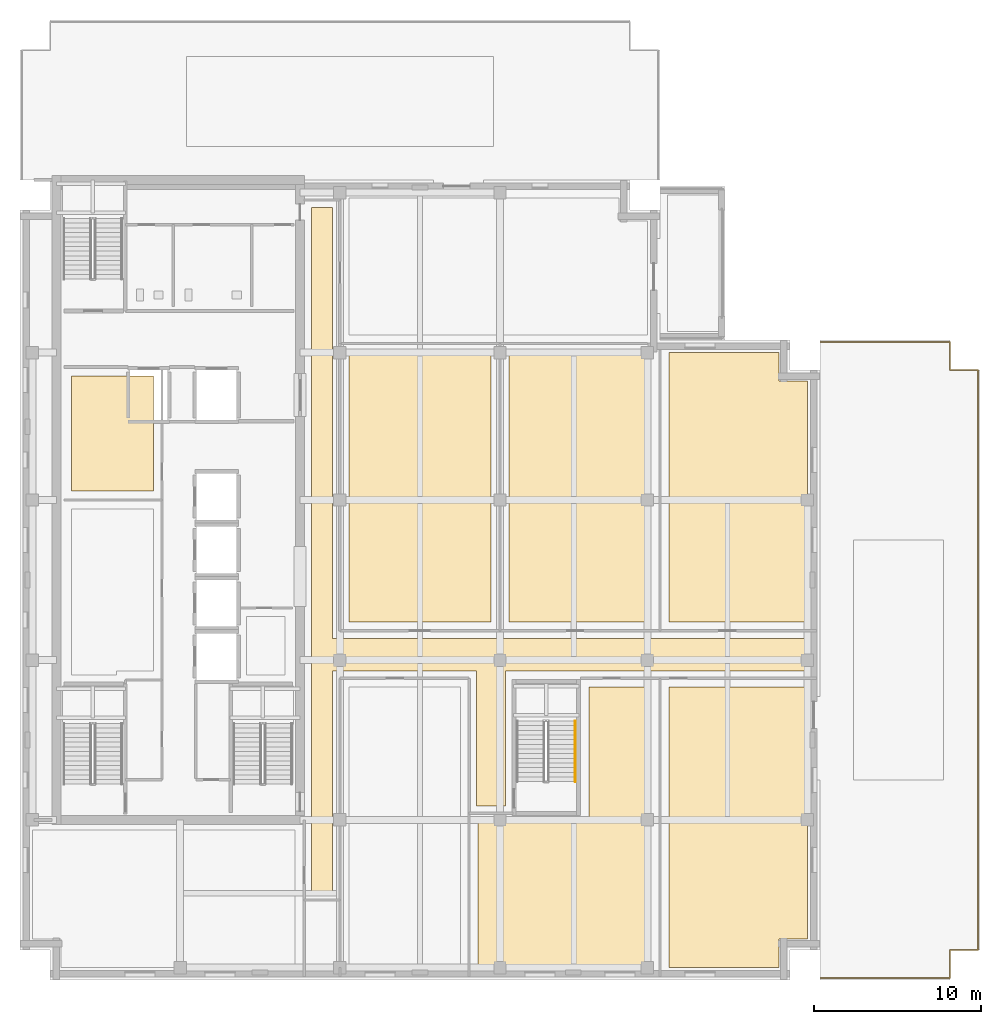
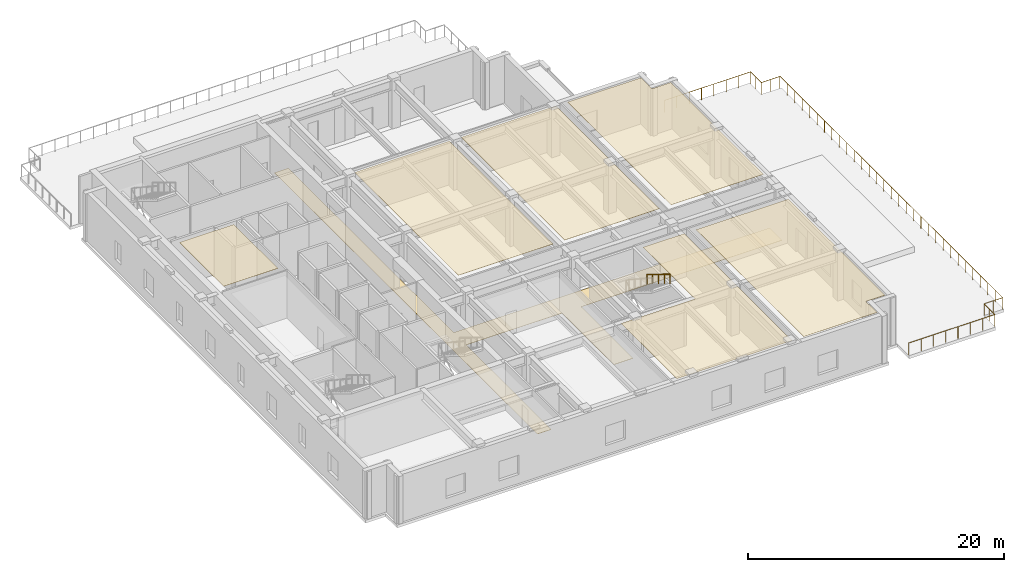
# One storey, part 8 of 11: 7 coverings, 2 railings.
"""IFC4 building model written with IfcOpenShell, lengths in metres."""

import ifcopenshell
import ifcopenshell.guid

model = None  # the IFC model being written
_history = None  # IfcOwnerHistory: only IFC2X3 demands one
_inside = {}  # id of a spatial element -> (the spatial element, [elements in it])
_under = {}  # id of a project, library or spatial element -> (it, [spatial elements below it])
_declared = {}  # id of a project -> (the project, [libraries it declares])
_typed = {}  # id of a type object -> (the type object, [elements of that type])
_made_of = {}  # id of a material, layer set ... -> (it, [elements and type objects made of it])


def new_model(schema):
    """Start an empty IFC model of exactly this schema.

    Asked for "IFC4X3", IfcOpenShell would pick the latest addendum, in which some entities
    have other attributes; the version numbers below select the first issue.
    IFC2X3 requires an IfcOwnerHistory on every rooted entity: one is made here for all.
    """
    global model, _history
    if schema == "IFC4X3":
        model = ifcopenshell.file(schema_version=(4, 3, 0, 0))
    else:
        model = ifcopenshell.file(schema=schema)
    _inside.clear()
    _under.clear()
    _declared.clear()
    _typed.clear()
    _made_of.clear()
    _history = None
    if model.schema == "IFC2X3":
        org = make("IfcOrganization", Name="unknown")
        user = make(
            "IfcPersonAndOrganization",
            ThePerson=make("IfcPerson", FamilyName="unknown"),
            TheOrganization=org,
        )
        app = make(
            "IfcApplication",
            ApplicationDeveloper=org,
            Version="unknown",
            ApplicationFullName="unknown",
            ApplicationIdentifier="unknown",
        )
        _history = make(
            "IfcOwnerHistory",
            OwningUser=user,
            OwningApplication=app,
            ChangeAction="ADDED",
            CreationDate=0,
        )
    return model


def make(cls, **values):
    """One entity of the class cls with the attributes given. An attribute that is None is left unset."""
    return model.create_entity(
        cls, **{name: value for name, value in values.items() if value is not None}
    )


def rooted(cls, **values):
    """An entity with a GlobalId (a new one), such as an element, a storey or a relation."""
    return make(cls, GlobalId=ifcopenshell.guid.new(), OwnerHistory=_history, **values)


def si_unit(unit_type, name, prefix=None):
    """IfcSIUnit, for example si_unit("LENGTHUNIT", "METRE", prefix="MILLI")."""
    return make("IfcSIUnit", UnitType=unit_type, Prefix=prefix, Name=name)


def assignment(units):
    """IfcUnitAssignment: the units of a project."""
    return None if units is None else make("IfcUnitAssignment", Units=units)


def point(xyz):
    """IfcCartesianPoint."""
    return None if xyz is None else make("IfcCartesianPoint", Coordinates=xyz)


def direction(xyz):
    """IfcDirection."""
    return None if xyz is None else make("IfcDirection", DirectionRatios=xyz)


def frame(location, z_axis=None, x_axis=None):
    """IfcAxis2Placement3D, a coordinate frame: its origin and axes. An axis left out is left unset."""
    return make(
        "IfcAxis2Placement3D",
        Location=point(location),
        Axis=direction(z_axis),
        RefDirection=direction(x_axis),
    )


def frame_2d(location, x_axis=None):
    """IfcAxis2Placement2D, a coordinate frame in the plane: its origin and x axis."""
    return make(
        "IfcAxis2Placement2D", Location=point(location), RefDirection=direction(x_axis)
    )


def origin():
    """The frame at (0, 0, 0) with its axes left unset."""
    return frame((0.0, 0.0, 0.0))


def origin_2d():
    """The frame at (0, 0) in the plane with its x axis left unset."""
    return frame_2d((0.0, 0.0))


def place(relative_to, where):
    """IfcLocalPlacement: puts the frame where relative to a parent placement (None: the world)."""
    return make(
        "IfcLocalPlacement", PlacementRelTo=relative_to, RelativePlacement=where
    )


def context(
    kind, dimensions, precision=None, world=None, true_north=None, identifier=None
):
    """IfcGeometricRepresentationContext, for example the 3D "Model" context."""
    return make(
        "IfcGeometricRepresentationContext",
        ContextIdentifier=identifier,
        ContextType=kind,
        CoordinateSpaceDimension=dimensions,
        Precision=precision,
        WorldCoordinateSystem=world,
        TrueNorth=true_north,
    )


def subcontext(parent, identifier, kind, view, scale=None):
    """IfcGeometricRepresentationSubContext, for example "Body" below "Model"."""
    return make(
        "IfcGeometricRepresentationSubContext",
        ContextIdentifier=identifier,
        ContextType=kind,
        ParentContext=parent,
        TargetScale=scale,
        TargetView=view,
    )


def project(units=None, contexts=None):
    """IfcProject with its units and contexts."""
    return rooted(
        "IfcProject",
        Name="project",
        RepresentationContexts=contexts,
        UnitsInContext=assignment(units),
    )


def spatial(cls, under=None, at=None, **own):
    """A site, building, storey or space (cls), placed at a placement, below another one or the project."""
    s = rooted(cls, ObjectPlacement=at, **own)
    if under is not None:
        _under.setdefault(under.id(), (under, []))[1].append(s)
    return s


def polyline(points):
    """IfcPolyline through the points."""
    return make("IfcPolyline", Points=[point(p) for p in points])


def profile(cls, at=None, kind="AREA", **sizes):
    """A parametric profile (cls). Its sizes go by their IFC names, for example OverallWidth=200.0."""
    return make(cls, ProfileType=kind, Position=at, **sizes)


def circle(**sizes):
    """IfcCircleProfileDef."""
    return profile("IfcCircleProfileDef", **sizes)


def outline(outer, holes=None, kind="AREA"):
    """IfcArbitraryClosedProfileDef: a profile drawn as a closed curve; with holes, ...WithVoids."""
    if holes is None:
        return make("IfcArbitraryClosedProfileDef", ProfileType=kind, OuterCurve=outer)
    return make(
        "IfcArbitraryProfileDefWithVoids",
        ProfileType=kind,
        OuterCurve=outer,
        InnerCurves=holes,
    )


def extrude(swept, where, along, depth):
    """IfcExtrudedAreaSolid: the profile swept, set in the frame where, extruded along a direction by depth."""
    return make(
        "IfcExtrudedAreaSolid",
        SweptArea=swept,
        Position=where,
        ExtrudedDirection=direction(along),
        Depth=depth,
    )


def shape(context_of_items, identifier, shape_type, items):
    """IfcShapeRepresentation: the items that make up one representation, for example the "Body"."""
    return make(
        "IfcShapeRepresentation",
        ContextOfItems=context_of_items,
        RepresentationIdentifier=identifier,
        RepresentationType=shape_type,
        Items=items,
    )


def material(Name=None, Category=None):
    """IfcMaterial."""
    return make("IfcMaterial", Name=Name, Category=Category)


def layer(
    of_material, thickness, ventilated=None, Name=None, Category=None, Priority=None
):
    """IfcMaterialLayer: one layer of a wall or slab, of a material (None: an air gap)."""
    return make(
        "IfcMaterialLayer",
        Material=of_material,
        LayerThickness=thickness,
        IsVentilated=ventilated,
        Name=Name,
        Category=Category,
        Priority=Priority,
    )


def layer_set(layers, Name=None):
    """IfcMaterialLayerSet."""
    return make("IfcMaterialLayerSet", MaterialLayers=layers, LayerSetName=Name)


def made_of(thing, what):
    """Note that an element or type object is made of a material, layer set ...; save() writes the relation."""
    if what is not None:
        _made_of.setdefault(what.id(), (what, []))[1].append(thing)
    return thing


def type_object(cls, material=None, **own):
    """A type object (cls), such as IfcWallType, which elements share."""
    return made_of(rooted(cls, **own), material)


def element(
    cls,
    number,
    at=None,
    inside=None,
    cuts=None,
    type_object=None,
    material=None,
    context=None,
    identifier="Body",
    shape_type=None,
    held_by="IfcProductDefinitionShape",
    body=None,
    shapes=None,
    **own,
):
    """One element of the class cls, such as IfcWall. Its Tag is "e" and its number.

    at: its placement. inside: the storey or other place that contains it. cuts: it is an
    opening in that element (IfcRelVoidsElement). A single representation is given by context,
    identifier, shape_type and body (its items); several are given by shapes. held_by: the class
    of the entity that holds the representations. save() writes the other relations.
    """
    e = rooted(cls, Tag="e%d" % number, ObjectPlacement=at, **own)
    if body is not None:
        shapes = [shape(context, identifier, shape_type, body)]
    if shapes is not None:
        e.Representation = make(held_by, Representations=shapes)
    if inside is not None:
        _inside.setdefault(inside.id(), (inside, []))[1].append(e)
    if cuts is not None:
        rooted(
            "IfcRelVoidsElement", RelatingBuildingElement=cuts, RelatedOpeningElement=e
        )
    if type_object is not None:
        _typed.setdefault(type_object.id(), (type_object, []))[1].append(e)
    return made_of(e, material)


def aggregate(whole, parts):
    """IfcRelAggregates: a whole, such as a stair, and the parts it consists of."""
    return rooted("IfcRelAggregates", RelatingObject=whole, RelatedObjects=parts)


def save(model, path):
    """Write the relations noted so far, then the file.

    IfcRelAggregates (storeys below a building ...), IfcRelContainedInSpatialStructure (elements
    in a storey), IfcRelDefinesByType, IfcRelAssociatesMaterial and IfcRelDeclares: one each for
    every whole, place, type object, material and project.
    """
    for whole, parts in _under.values():
        aggregate(whole, parts)
    for where, things in _inside.values():
        rooted(
            "IfcRelContainedInSpatialStructure",
            RelatedElements=things,
            RelatingStructure=where,
        )
    for kind, things in _typed.values():
        rooted("IfcRelDefinesByType", RelatedObjects=things, RelatingType=kind)
    for what, things in _made_of.values():
        rooted("IfcRelAssociatesMaterial", RelatedObjects=things, RelatingMaterial=what)
    for by, libraries in _declared.values():
        rooted("IfcRelDeclares", RelatingContext=by, RelatedDefinitions=libraries)
    model.write(path)


model = new_model("IFC4")

# Units and contexts
model_context = context("Model", 3, precision=1e-05, world=origin(), true_north=direction((0.0, 1.0)))
body_context = subcontext(model_context, "Body", "Model", "MODEL_VIEW")
ifc_project = project(units=[si_unit("LENGTHUNIT", "METRE"), si_unit("AREAUNIT", "SQUARE_METRE"), si_unit("VOLUMEUNIT", "CUBIC_METRE"), si_unit("PLANEANGLEUNIT", "RADIAN"), si_unit("MASSUNIT", "GRAM", prefix="KILO")], contexts=[model_context])

# Site, building, storey
site_placement = place(None, origin())
site = spatial("IfcSite", under=ifc_project, at=site_placement, CompositionType="ELEMENT")
building_placement = place(site_placement, origin())
building = spatial("IfcBuilding", under=site, at=building_placement, Name="Norrvale University Quadrangle", CompositionType="ELEMENT")
storey_placement = place(building_placement, frame((0.0, 0.0, 261.0)))
storey = spatial("IfcBuildingStorey", under=building, at=storey_placement, Name="L66", CompositionType="ELEMENT", Elevation=261.0)

# Coverings
ifc_material_1 = material(Name="Perforated Acoustic Mineral Ceiling")
ifc_layer_1 = layer(ifc_material_1, 0.02490234375, Name="Perforated Acoustic Mineral Ceiling")
ifc_layer_set_1 = layer_set([ifc_layer_1], Name="Perforated Acoustic Mineral Ceiling")
covering_type_1 = type_object("IfcCoveringType", Name="Covering Acoustic Ceiling 25", PredefinedType="CEILING", material=ifc_layer_set_1)
covering_1_placement = place(storey_placement, frame((0.0, 0.0, 4.514892578125)))
element("IfcCovering", 1, at=covering_1_placement, inside=storey, type_object=covering_type_1, Name="Acoustic Ceiling RM-L66-REC3", PredefinedType="CEILING", context=body_context, shape_type="SweptSolid", body=[
    extrude(outline(polyline([(3.10009765625, 29.35009765625), (3.10009765625, 36.25), (8.0, 36.25), (8.0, 29.35009765625), (3.10009765625, 29.35009765625)])), origin(), (0.0, 0.0, 1.0), 0.025146484375),
])
covering_2_placement = place(storey_placement, frame((0.0, 0.0, 4.514892578125)))
element("IfcCovering", 2, at=covering_2_placement, inside=storey, type_object=covering_type_1, Name="Acoustic Ceiling RM-L66-SE2", PredefinedType="CEILING", context=body_context, shape_type="SweptSolid", body=[
    extrude(outline(polyline([(27.47998046875, 9.449951171875), (34.14990234375, 9.449951171875), (34.14990234375, 17.570068359375), (37.8701171875, 17.570068359375), (37.8701171875, 0.75), (27.47998046875, 0.75), (27.47998046875, 9.449951171875)])), origin(), (0.0, 0.0, 1.0), 0.025146484375),
])
covering_3_placement = place(storey_placement, frame((0.0, 0.0, 4.514892578125)))
element("IfcCovering", 3, at=covering_3_placement, inside=storey, type_object=covering_type_1, Name="Acoustic Ceiling RM-L66-SE3", PredefinedType="CEILING", context=body_context, shape_type="SweptSolid", body=[
    extrude(outline(polyline([(38.929931640625, 0.75), (38.929931640625, 17.570068359375), (47.25, 17.570068359375), (47.25, 2.469970703125), (45.530029296875, 2.469970703125), (45.530029296875, 0.75), (38.929931640625, 0.75)])), origin(), (0.0, 0.0, 1.0), 0.025146484375),
])
covering_4_placement = place(storey_placement, frame((0.0, 0.0, 4.514892578125)))
element("IfcCovering", 4, at=covering_4_placement, inside=storey, type_object=covering_type_1, Name="Acoustic Ceiling RM-L66-ME01", PredefinedType="CEILING", context=body_context, shape_type="SweptSolid", body=[
    extrude(outline(polyline([(19.72998046875, 37.64990234375), (28.27001953125, 37.64990234375), (28.27001953125, 21.47998046875), (19.72998046875, 21.47998046875), (19.72998046875, 37.64990234375)])), origin(), (0.0, 0.0, 1.0), 0.025146484375),
])
covering_5_placement = place(storey_placement, frame((0.0, 0.0, 4.514892578125)))
element("IfcCovering", 5, at=covering_5_placement, inside=storey, type_object=covering_type_1, Name="Acoustic Ceiling RM-L66-ME02", PredefinedType="CEILING", context=body_context, shape_type="SweptSolid", body=[
    extrude(outline(polyline([(29.330078125, 37.64990234375), (37.8701171875, 37.64990234375), (37.8701171875, 21.47998046875), (29.330078125, 21.47998046875), (29.330078125, 37.64990234375)])), origin(), (0.0, 0.0, 1.0), 0.025146484375),
])
covering_6_placement = place(storey_placement, frame((0.0, 0.0, 4.514892578125)))
element("IfcCovering", 6, at=covering_6_placement, inside=storey, type_object=covering_type_1, Name="Acoustic Ceiling RM-L66-ME03", PredefinedType="CEILING", context=body_context, shape_type="SweptSolid", body=[
    extrude(outline(polyline([(47.25, 21.47998046875), (38.929931640625, 21.47998046875), (38.929931640625, 37.64990234375), (45.530029296875, 37.64990234375), (45.530029296875, 35.929931640625), (47.25, 35.929931640625), (47.25, 21.47998046875)])), origin(), (0.0, 0.0, 1.0), 0.025146484375),
])
ifc_material_2 = material(Name="Polished Terrazzo Flooring")
ifc_layer_2 = layer(ifc_material_2, 0.02490234375, Name="Polished Terrazzo Flooring")
ifc_layer_set_2 = layer_set([ifc_layer_2], Name="Polished Terrazzo Flooring")
covering_type_2 = type_object("IfcCoveringType", Name="Covering Terrazzo Floor 30", PredefinedType="FLOORING", material=ifc_layer_set_2)
covering_7_placement = place(storey_placement, origin())
element("IfcCovering", 7, at=covering_7_placement, inside=storey, type_object=covering_type_2, Name="Terrazzo Flooring RM-L66-CORR1", PredefinedType="FLOORING", context=body_context, shape_type="SweptSolid", body=[
    extrude(outline(polyline([(17.5, 5.25), (17.5, 46.35009765625), (18.75, 46.35009765625), (18.75, 20.5), (47.25, 20.5), (47.25, 18.550048828125), (29.1298828125, 18.550048828125), (29.1298828125, 10.449951171875), (27.39990234375, 10.449951171875), (27.39990234375, 18.550048828125), (18.75, 18.550048828125), (18.75, 5.25), (17.5, 5.25)])), origin(), (0.0, 0.0, 1.0), 0.02490234375),
])

# Railings
ifc_material_3 = material(Name="Stainless Steel 316L Handrail", Category="steel")
railing_type_1 = type_object("IfcRailingType", Name="Railing Stair Handrail 920", PredefinedType="HANDRAIL", material=ifc_material_3)
railing_1_placement = place(storey_placement, frame((33.31005859375, 15.5400390625, 2.5712890625)))
element("IfcRailing", 8, at=railing_1_placement, inside=storey, type_object=railing_type_1, Name="Stair Upper Flight Handrail ST-04 L66", PredefinedType="HANDRAIL", context=body_context, shape_type="SweptSolid", body=[
    extrude(circle(Radius=0.02392578125, at=origin_2d()), frame((0.0, 0.0, 0.89599609375), z_axis=(0.0, -0.852840387347, 0.522171689878), x_axis=(1.0, 0.0, 0.0)), (0.0, 0.0, 1.0), 4.268310546875),
    extrude(circle(Radius=0.02099609375, at=origin_2d()), origin(), (0.0, 0.0, 1.0), 0.871826171875),
    extrude(circle(Radius=0.02099609375, at=origin_2d()), frame((0.0, -0.91015625, 0.55712890625)), (0.0, 0.0, 1.0), 0.871826171875),
    extrude(circle(Radius=0.02099609375, at=origin_2d()), frame((0.0, -1.820068359375, 1.1142578125)), (0.0, 0.0, 1.0), 0.871826171875),
    extrude(circle(Radius=0.02099609375, at=origin_2d()), frame((0.0, -2.72998046875, 1.671630859375)), (0.0, 0.0, 1.0), 0.871826171875),
    extrude(circle(Radius=0.02099609375, at=origin_2d()), frame((0.0, -3.64013671875, 2.228759765625)), (0.0, 0.0, 1.0), 0.871826171875),
])
ifc_material_4 = material(Name="Stainless Steel 316L Balustrade", Category="steel")
railing_type_2 = type_object("IfcRailingType", Name="Railing Terrace Guard 1150", PredefinedType="BALUSTRADE", material=ifc_material_4)
railing_2_placement = place(storey_placement, frame((48.050048828125, 0.1201171875, 0.0)))
element("IfcRailing", 9, at=railing_2_placement, inside=storey, type_object=railing_type_2, Name="L66 East Setback Terrace Balustrade", PredefinedType="BALUSTRADE", context=body_context, shape_type="SweptSolid", body=[
    extrude(circle(Radius=0.02392578125, at=origin_2d()), frame((0.0, 0.0, 1.1259765625), z_axis=(1.0, 0.0, 0.0), x_axis=(0.0, 1.0, 0.0)), (0.0, 0.0, 1.0), 7.75),
    extrude(circle(Radius=0.02392578125, at=origin_2d()), frame((7.75, 0.0, 1.1259765625), z_axis=(0.0, 1.0, 0.0), x_axis=(-1.0, 0.0, 0.0)), (0.0, 0.0, 1.0), 1.679931640625),
    extrude(circle(Radius=0.02392578125, at=origin_2d()), frame((7.75, 1.679931640625, 1.1259765625), z_axis=(1.0, 0.0, 0.0), x_axis=(0.0, 1.0, 0.0)), (0.0, 0.0, 1.0), 1.679931640625),
    extrude(circle(Radius=0.02392578125, at=origin_2d()), frame((9.429931640625, 1.679931640625, 1.1259765625), z_axis=(0.0, 1.0, 0.0), x_axis=(-1.0, 0.0, 0.0)), (0.0, 0.0, 1.0), 34.800048828125),
    extrude(circle(Radius=0.02392578125, at=origin_2d()), frame((9.429931640625, 36.47998046875, 1.1259765625), z_axis=(-1.0, 0.0, 0.0), x_axis=(0.0, -1.0, 0.0)), (0.0, 0.0, 1.0), 1.679931640625),
    extrude(circle(Radius=0.02392578125, at=origin_2d()), frame((7.75, 36.47998046875, 1.1259765625), z_axis=(0.0, 1.0, 0.0), x_axis=(-1.0, 0.0, 0.0)), (0.0, 0.0, 1.0), 1.679931640625),
    extrude(circle(Radius=0.02392578125, at=origin_2d()), frame((7.75, 38.159912109375, 1.1259765625), z_axis=(-1.0, 0.0, 0.0), x_axis=(0.0, -1.0, 0.0)), (0.0, 0.0, 1.0), 7.75),
    extrude(circle(Radius=0.02099609375, at=origin_2d()), origin(), (0.0, 0.0, 1.0), 1.101806640625),
    extrude(circle(Radius=0.02099609375, at=origin_2d()), frame((1.107177734375, 0.0, 0.0)), (0.0, 0.0, 1.0), 1.101806640625),
    extrude(circle(Radius=0.02099609375, at=origin_2d()), frame((2.21435546875, 0.0, 0.0)), (0.0, 0.0, 1.0), 1.101806640625),
    extrude(circle(Radius=0.02099609375, at=origin_2d()), frame((3.321533203125, 0.0, 0.0)), (0.0, 0.0, 1.0), 1.101806640625),
    extrude(circle(Radius=0.02099609375, at=origin_2d()), frame((4.428466796875, 0.0, 0.0)), (0.0, 0.0, 1.0), 1.101806640625),
    extrude(circle(Radius=0.02099609375, at=origin_2d()), frame((5.53564453125, 0.0, 0.0)), (0.0, 0.0, 1.0), 1.101806640625),
    extrude(circle(Radius=0.02099609375, at=origin_2d()), frame((6.642822265625, 0.0, 0.0)), (0.0, 0.0, 1.0), 1.101806640625),
    extrude(circle(Radius=0.02099609375, at=origin_2d()), frame((7.75, 0.0, 0.0)), (0.0, 0.0, 1.0), 1.101806640625),
    extrude(circle(Radius=0.02099609375, at=origin_2d()), frame((7.75, 0.83984375, 0.0)), (0.0, 0.0, 1.0), 1.101806640625),
    extrude(circle(Radius=0.02099609375, at=origin_2d()), frame((7.75, 1.679931640625, 0.0)), (0.0, 0.0, 1.0), 1.101806640625),
    extrude(circle(Radius=0.02099609375, at=origin_2d()), frame((8.58984375, 1.679931640625, 0.0)), (0.0, 0.0, 1.0), 1.101806640625),
    extrude(circle(Radius=0.02099609375, at=origin_2d()), frame((9.429931640625, 1.679931640625, 0.0)), (0.0, 0.0, 1.0), 1.101806640625),
    extrude(circle(Radius=0.02099609375, at=origin_2d()), frame((9.429931640625, 2.83984375, 0.0)), (0.0, 0.0, 1.0), 1.101806640625),
    extrude(circle(Radius=0.02099609375, at=origin_2d()), frame((9.429931640625, 4.0, 0.0)), (0.0, 0.0, 1.0), 1.101806640625),
    extrude(circle(Radius=0.02099609375, at=origin_2d()), frame((9.429931640625, 5.159912109375, 0.0)), (0.0, 0.0, 1.0), 1.101806640625),
    extrude(circle(Radius=0.02099609375, at=origin_2d()), frame((9.429931640625, 6.31982421875, 0.0)), (0.0, 0.0, 1.0), 1.101806640625),
    extrude(circle(Radius=0.02099609375, at=origin_2d()), frame((9.429931640625, 7.47998046875, 0.0)), (0.0, 0.0, 1.0), 1.101806640625),
    extrude(circle(Radius=0.02099609375, at=origin_2d()), frame((9.429931640625, 8.639892578125, 0.0)), (0.0, 0.0, 1.0), 1.101806640625),
    extrude(circle(Radius=0.02099609375, at=origin_2d()), frame((9.429931640625, 9.800048828125, 0.0)), (0.0, 0.0, 1.0), 1.101806640625),
    extrude(circle(Radius=0.02099609375, at=origin_2d()), frame((9.429931640625, 10.9599609375, 0.0)), (0.0, 0.0, 1.0), 1.101806640625),
    extrude(circle(Radius=0.02099609375, at=origin_2d()), frame((9.429931640625, 12.119873046875, 0.0)), (0.0, 0.0, 1.0), 1.101806640625),
    extrude(circle(Radius=0.02099609375, at=origin_2d()), frame((9.429931640625, 13.280029296875, 0.0)), (0.0, 0.0, 1.0), 1.101806640625),
    extrude(circle(Radius=0.02099609375, at=origin_2d()), frame((9.429931640625, 14.43994140625, 0.0)), (0.0, 0.0, 1.0), 1.101806640625),
    extrude(circle(Radius=0.02099609375, at=origin_2d()), frame((9.429931640625, 15.599853515625, 0.0)), (0.0, 0.0, 1.0), 1.101806640625),
    extrude(circle(Radius=0.02099609375, at=origin_2d()), frame((9.429931640625, 16.760009765625, 0.0)), (0.0, 0.0, 1.0), 1.101806640625),
    extrude(circle(Radius=0.02099609375, at=origin_2d()), frame((9.429931640625, 17.919921875, 0.0)), (0.0, 0.0, 1.0), 1.101806640625),
    extrude(circle(Radius=0.02099609375, at=origin_2d()), frame((9.429931640625, 19.080078125, 0.0)), (0.0, 0.0, 1.0), 1.101806640625),
    extrude(circle(Radius=0.02099609375, at=origin_2d()), frame((9.429931640625, 20.239990234375, 0.0)), (0.0, 0.0, 1.0), 1.101806640625),
    extrude(circle(Radius=0.02099609375, at=origin_2d()), frame((9.429931640625, 21.39990234375, 0.0)), (0.0, 0.0, 1.0), 1.101806640625),
    extrude(circle(Radius=0.02099609375, at=origin_2d()), frame((9.429931640625, 22.56005859375, 0.0)), (0.0, 0.0, 1.0), 1.101806640625),
    extrude(circle(Radius=0.02099609375, at=origin_2d()), frame((9.429931640625, 23.719970703125, 0.0)), (0.0, 0.0, 1.0), 1.101806640625),
    extrude(circle(Radius=0.02099609375, at=origin_2d()), frame((9.429931640625, 24.8798828125, 0.0)), (0.0, 0.0, 1.0), 1.101806640625),
    extrude(circle(Radius=0.02099609375, at=origin_2d()), frame((9.429931640625, 26.0400390625, 0.0)), (0.0, 0.0, 1.0), 1.101806640625),
    extrude(circle(Radius=0.02099609375, at=origin_2d()), frame((9.429931640625, 27.199951171875, 0.0)), (0.0, 0.0, 1.0), 1.101806640625),
    extrude(circle(Radius=0.02099609375, at=origin_2d()), frame((9.429931640625, 28.35986328125, 0.0)), (0.0, 0.0, 1.0), 1.101806640625),
    extrude(circle(Radius=0.02099609375, at=origin_2d()), frame((9.429931640625, 29.52001953125, 0.0)), (0.0, 0.0, 1.0), 1.101806640625),
    extrude(circle(Radius=0.02099609375, at=origin_2d()), frame((9.429931640625, 30.679931640625, 0.0)), (0.0, 0.0, 1.0), 1.101806640625),
    extrude(circle(Radius=0.02099609375, at=origin_2d()), frame((9.429931640625, 31.840087890625, 0.0)), (0.0, 0.0, 1.0), 1.101806640625),
    extrude(circle(Radius=0.02099609375, at=origin_2d()), frame((9.429931640625, 33.0, 0.0)), (0.0, 0.0, 1.0), 1.101806640625),
    extrude(circle(Radius=0.02099609375, at=origin_2d()), frame((9.429931640625, 34.159912109375, 0.0)), (0.0, 0.0, 1.0), 1.101806640625),
    extrude(circle(Radius=0.02099609375, at=origin_2d()), frame((9.429931640625, 35.320068359375, 0.0)), (0.0, 0.0, 1.0), 1.101806640625),
    extrude(circle(Radius=0.02099609375, at=origin_2d()), frame((9.429931640625, 36.47998046875, 0.0)), (0.0, 0.0, 1.0), 1.101806640625),
    extrude(circle(Radius=0.02099609375, at=origin_2d()), frame((8.58984375, 36.47998046875, 0.0)), (0.0, 0.0, 1.0), 1.101806640625),
    extrude(circle(Radius=0.02099609375, at=origin_2d()), frame((7.75, 36.47998046875, 0.0)), (0.0, 0.0, 1.0), 1.101806640625),
    extrude(circle(Radius=0.02099609375, at=origin_2d()), frame((7.75, 37.31982421875, 0.0)), (0.0, 0.0, 1.0), 1.101806640625),
    extrude(circle(Radius=0.02099609375, at=origin_2d()), frame((7.75, 38.159912109375, 0.0)), (0.0, 0.0, 1.0), 1.101806640625),
    extrude(circle(Radius=0.02099609375, at=origin_2d()), frame((6.642822265625, 38.159912109375, 0.0)), (0.0, 0.0, 1.0), 1.101806640625),
    extrude(circle(Radius=0.02099609375, at=origin_2d()), frame((5.53564453125, 38.159912109375, 0.0)), (0.0, 0.0, 1.0), 1.101806640625),
    extrude(circle(Radius=0.02099609375, at=origin_2d()), frame((4.428466796875, 38.159912109375, 0.0)), (0.0, 0.0, 1.0), 1.101806640625),
    extrude(circle(Radius=0.02099609375, at=origin_2d()), frame((3.321533203125, 38.159912109375, 0.0)), (0.0, 0.0, 1.0), 1.101806640625),
    extrude(circle(Radius=0.02099609375, at=origin_2d()), frame((2.21435546875, 38.159912109375, 0.0)), (0.0, 0.0, 1.0), 1.101806640625),
    extrude(circle(Radius=0.02099609375, at=origin_2d()), frame((1.107177734375, 38.159912109375, 0.0)), (0.0, 0.0, 1.0), 1.101806640625),
    extrude(circle(Radius=0.02099609375, at=origin_2d()), frame((0.0, 38.159912109375, 0.0)), (0.0, 0.0, 1.0), 1.101806640625),
])

save(model, "model.ifc")
